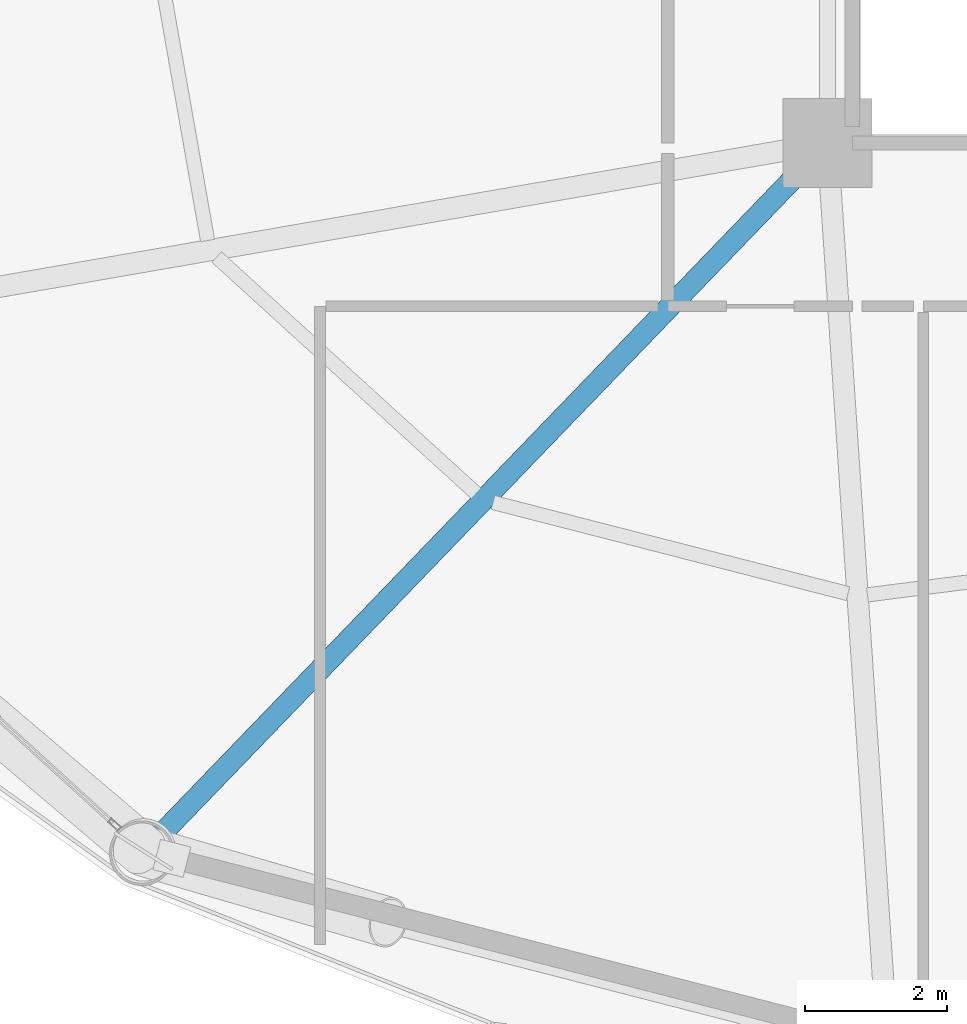
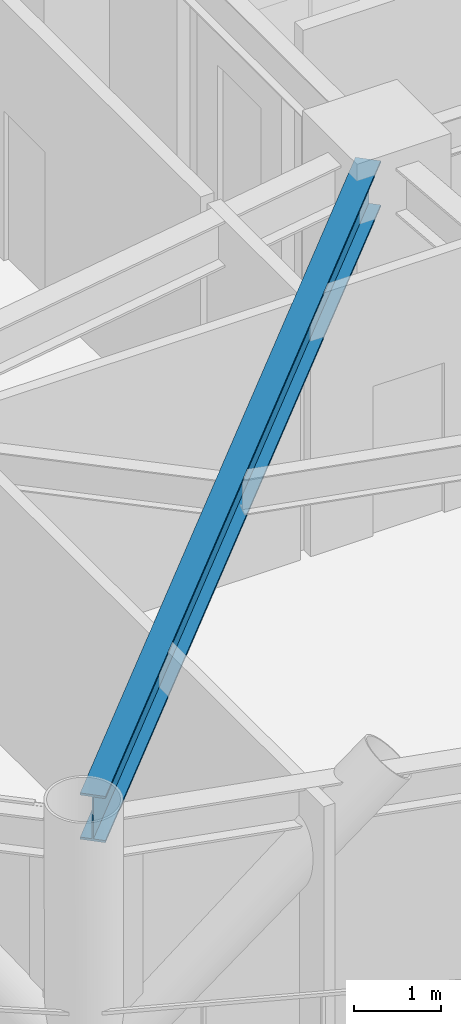
# One storey, part 4 of 26: 1 beam.
"""IFC4 building model written with IfcOpenShell, lengths in metres."""

from ifc_helpers import new_model, si_unit, direction, frame, origin, origin_2d, place, context, subcontext, project, spatial, i_section, extrude, material, material_profile, profile_set, type_object, element, save


model = new_model("IFC4")

# Units and contexts
model_context = context("Model", 3, precision=1e-05, world=origin(), true_north=direction((0.0, 1.0)))
body_context = subcontext(model_context, "Body", "Model", "MODEL_VIEW")
ifc_project = project(units=[si_unit("LENGTHUNIT", "METRE"), si_unit("AREAUNIT", "SQUARE_METRE"), si_unit("VOLUMEUNIT", "CUBIC_METRE"), si_unit("PLANEANGLEUNIT", "RADIAN"), si_unit("MASSUNIT", "GRAM", prefix="KILO")], contexts=[model_context])

# Site, building, storey
site_placement = place(None, origin())
site = spatial("IfcSite", under=ifc_project, at=site_placement, CompositionType="ELEMENT")
building_placement = place(site_placement, origin())
building = spatial("IfcBuilding", under=site, at=building_placement, Name="Varnakorn Sky Granary", CompositionType="ELEMENT")
storey_placement = place(building_placement, frame((0.0, 0.0, 51.0)))
storey = spatial("IfcBuildingStorey", under=building, at=storey_placement, Name="L12", CompositionType="ELEMENT", Elevation=51.0)

# Beam
ifc_material = material(Name="Steel S355JR", Category="steel")
ifc_material_profile = material_profile(ifc_material, i_section(OverallWidth=0.300048828125, OverallDepth=0.64990234375, WebThickness=0.01611328125, FlangeThickness=0.031005859375, at=origin_2d()), Name="HE 650 B")
ifc_profile_set = profile_set([ifc_material_profile], Name="Steel S355JR")
beam_type = type_object("IfcBeamType", Name="BM-RAD-Z1", PredefinedType="BEAM", material=ifc_profile_set)
beam_placement = place(storey_placement, frame((-2.6416015625, -6.90234375, 3.31494140625), z_axis=(-0.693997898054, -0.719977025672, 0.0), x_axis=(0.719977025672, -0.693997898054, 0.0)))
element("IfcBeam", 1, at=beam_placement, inside=storey, type_object=beam_type, Name="Radial Floor Girder RG09 L12", PredefinedType="BEAM", context=body_context, shape_type="SweptSolid", body=[
    extrude(i_section(OverallWidth=0.300048828125, OverallDepth=0.64990234375, WebThickness=0.01611328125, FlangeThickness=0.031005859375, at=origin_2d()), origin(), (0.0, 0.0, 1.0), 13.12841796875),
])

save(model, "model.ifc")
